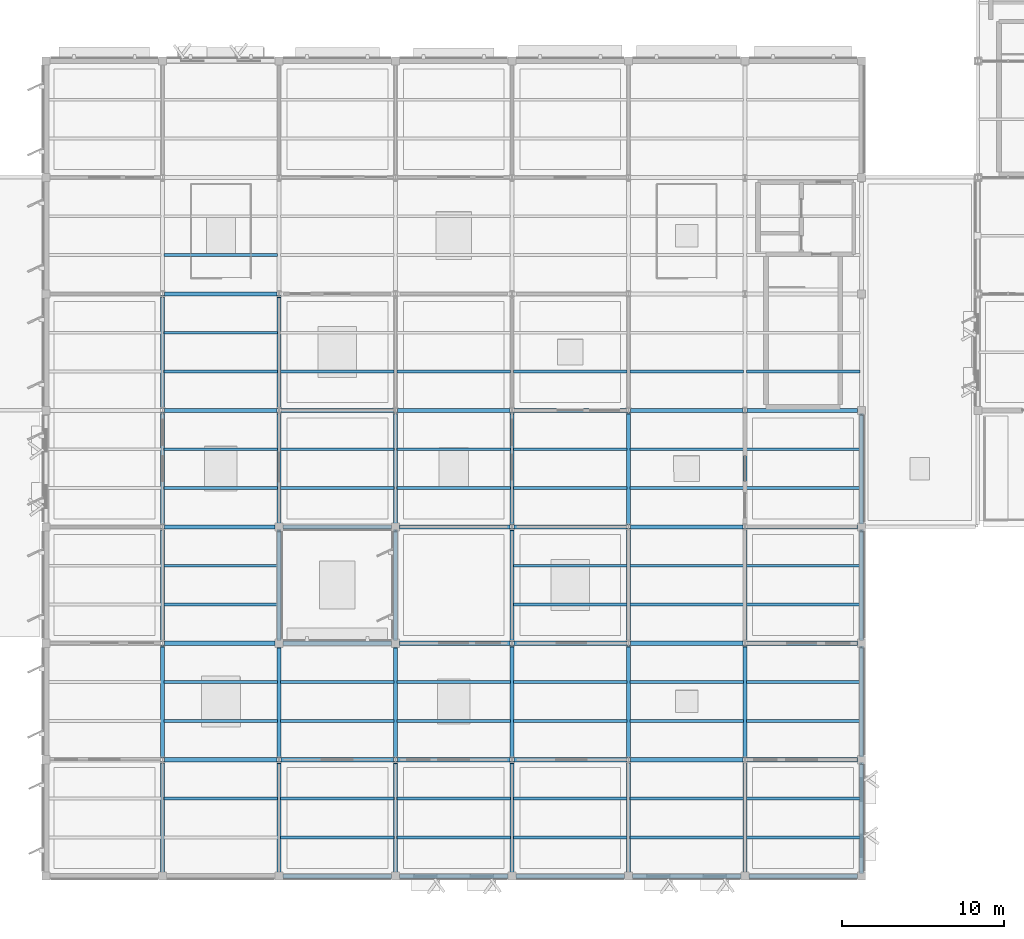
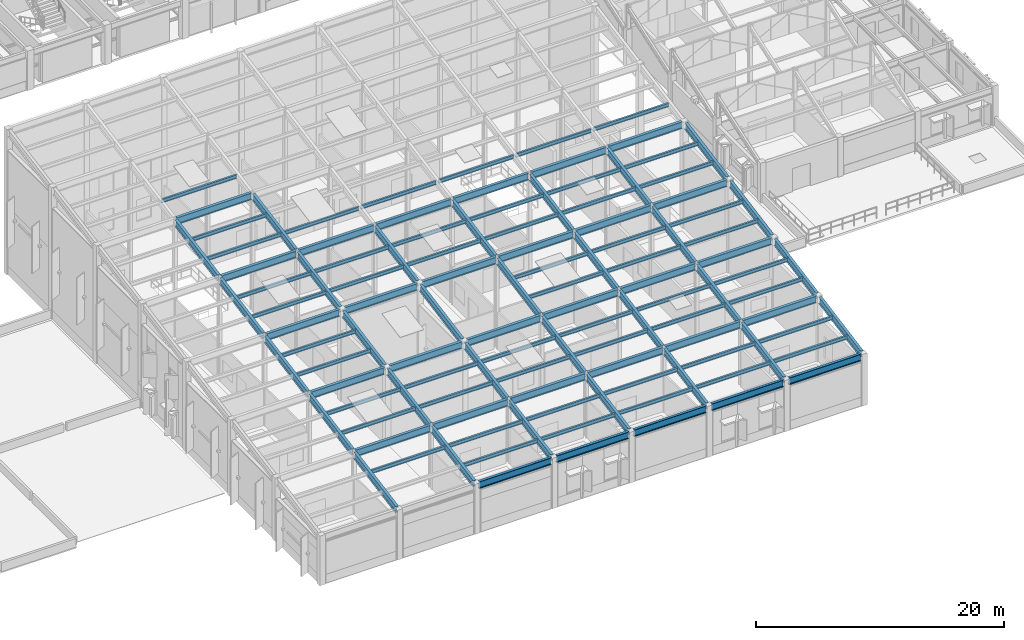
# One storey, part 16 of 82: 111 beams.
"""IFC4 building model written with IfcOpenShell, lengths in metres."""

from ifc_helpers import new_model, si_unit, direction, frame, origin, origin_2d, place, context, subcontext, project, spatial, i_section, extrude, material, material_profile, profile_set, type_object, element, save


model = new_model("IFC4")

# Units and contexts
model_context = context("Model", 3, precision=1e-05, world=origin(), true_north=direction((0.0, 1.0)))
body_context = subcontext(model_context, "Body", "Model", "MODEL_VIEW")
ifc_project = project(units=[si_unit("LENGTHUNIT", "METRE"), si_unit("AREAUNIT", "SQUARE_METRE"), si_unit("VOLUMEUNIT", "CUBIC_METRE"), si_unit("PLANEANGLEUNIT", "RADIAN"), si_unit("MASSUNIT", "GRAM", prefix="KILO")], contexts=[model_context])

# Site, building, storey
site_placement = place(None, origin())
site = spatial("IfcSite", under=ifc_project, at=site_placement, CompositionType="ELEMENT")
building_placement = place(site_placement, origin())
building = spatial("IfcBuilding", under=site, at=building_placement, Name="Sillqori Civic Hall", CompositionType="ELEMENT")
storey_placement = place(building_placement, frame((0.0, 0.0, 14.10009765625)))
storey = spatial("IfcBuildingStorey", under=building, at=storey_placement, Name="L04", CompositionType="ELEMENT", Elevation=14.10009765625)

# Beams
ifc_material = material(Name="Steel ASTM A992", Category="steel")
ifc_material_profile_1 = material_profile(ifc_material, i_section(OverallWidth=0.25390625, OverallDepth=0.68310546875, WebThickness=0.012451171875, FlangeThickness=0.01904296875, FilletRadius=0.01611328125, at=origin_2d()), Name="W27X94")
ifc_profile_set_1 = profile_set([ifc_material_profile_1], Name="Steel ASTM A992")
beam_type_1 = type_object("IfcBeamType", Name="BM-W27X94", PredefinedType="BEAM", material=ifc_profile_set_1)
beam_1_placement = place(storey_placement, frame((79.44189453125, 7.199951171875, 4.587646484375), z_axis=(0.99999200533, 0.0, 0.003998659369), x_axis=(0.0, 1.0, 0.0)))
element("IfcBeam", 1, at=beam_1_placement, inside=storey, type_object=beam_type_1, Name="Wedge roof girder X 11-12@1", PredefinedType="BEAM", context=body_context, shape_type="SweptSolid", body=[
    extrude(i_section(OverallWidth=0.25390625, OverallDepth=0.68310546875, WebThickness=0.012451171875, FlangeThickness=0.01904296875, FilletRadius=0.01611328125, at=origin_2d()), origin(), (0.0, 0.0, 1.0), 6.716064453125),
])
beam_2_placement = place(storey_placement, frame((86.64208984375, 7.199951171875, 4.6162109375), z_axis=(0.999992149454, 0.0, 0.003962452533), x_axis=(0.0, 1.0, 0.0)))
element("IfcBeam", 2, at=beam_2_placement, inside=storey, type_object=beam_type_1, Name="Wedge roof girder X 12-13@1", PredefinedType="BEAM", context=body_context, shape_type="SweptSolid", body=[
    extrude(i_section(OverallWidth=0.25390625, OverallDepth=0.68310546875, WebThickness=0.012451171875, FlangeThickness=0.01904296875, FilletRadius=0.01611328125, at=origin_2d()), origin(), (0.0, 0.0, 1.0), 6.7158203125),
])
for number, where, z_axis, x_axis, name in (
    (3, (93.842041015625, 7.199951171875, 4.64501953125), (0.999992293399, 0.0, 0.003925957602), (0.0, 1.0, 0.0), "Wedge roof girder X 13-14@1"),
    (4, (101.0419921875, 7.199951171875, 4.67333984375), (0.99999200533, 0.0, 0.003998659369), (0.0, 1.0, 0.0), "Wedge roof girder X 14-15@1"),
    (5, (108.241943359375, 7.199951171875, 4.701904296875), (0.999992150025, 0.0, 0.003962308494), (0.0, 1.0, 0.0), "Wedge roof girder X 15-16@1"),
):
    element("IfcBeam", number, at=place(storey_placement, frame(where, z_axis=z_axis, x_axis=x_axis)), inside=storey, type_object=beam_type_1, Name=name, PredefinedType="BEAM", context=body_context, shape_type="SweptSolid", body=[
        extrude(i_section(OverallWidth=0.25390625, OverallDepth=0.68310546875, WebThickness=0.012451171875, FlangeThickness=0.01904296875, FilletRadius=0.01611328125, at=origin_2d()), origin(), (0.0, 0.0, 1.0), 6.716064453125),
    ])
for number, where, z_axis, x_axis, name in (
    (6, (72.12060546875, 14.39990234375, 5.901611328125), (0.999992142034, 0.0, 0.003964324728), (0.0, 1.0, 0.0), "Wedge roof girder X 10-11@2"),
    (7, (79.320556640625, 14.39990234375, 5.93017578125), (0.999992142034, 0.0, 0.003964324728), (0.0, 1.0, 0.0), "Wedge roof girder X 11-12@2"),
    (8, (86.5205078125, 14.39990234375, 5.958740234375), (0.999992142034, 0.0, 0.003964324728), (0.0, 1.0, 0.0), "Wedge roof girder X 12-13@2"),
    (9, (93.720458984375, 14.39990234375, 5.9873046875), (0.999992142034, 0.0, 0.003964324728), (0.0, 1.0, 0.0), "Wedge roof girder X 13-14@2"),
    (10, (100.92041015625, 14.39990234375, 6.015869140625), (0.999992142034, 0.0, 0.003964324728), (0.0, 1.0, 0.0), "Wedge roof girder X 14-15@2"),
):
    element("IfcBeam", number, at=place(storey_placement, frame(where, z_axis=z_axis, x_axis=x_axis)), inside=storey, type_object=beam_type_1, Name=name, PredefinedType="BEAM", context=body_context, shape_type="SweptSolid", body=[
        extrude(i_section(OverallWidth=0.25390625, OverallDepth=0.68310546875, WebThickness=0.012451171875, FlangeThickness=0.01904296875, FilletRadius=0.01611328125, at=origin_2d()), origin(), (0.0, 0.0, 1.0), 6.958984375),
    ])
for number, where, z_axis, x_axis, name in (
    (11, (108.12060546875, 14.39990234375, 6.04443359375), (0.999992145678, 0.0, 0.003963405276), (0.0, 1.0, 0.0), "Wedge roof girder X 15-16@2"),
    (12, (72.12060546875, 21.60009765625, 7.244384765625), (0.999992145678, 0.0, 0.003963405276), (0.0, 1.0, 0.0), "Wedge roof girder X 10-11@3"),
):
    element("IfcBeam", number, at=place(storey_placement, frame(where, z_axis=z_axis, x_axis=x_axis)), inside=storey, type_object=beam_type_1, Name=name, PredefinedType="BEAM", context=body_context, shape_type="SweptSolid", body=[
        extrude(i_section(OverallWidth=0.25390625, OverallDepth=0.68310546875, WebThickness=0.012451171875, FlangeThickness=0.01904296875, FilletRadius=0.01611328125, at=origin_2d()), origin(), (0.0, 0.0, 1.0), 6.83740234375),
    ])
beam_3_placement = place(storey_placement, frame((79.44189453125, 21.60009765625, 7.2734375), z_axis=(0.999992150025, 0.0, 0.003962308494), x_axis=(0.0, 1.0, 0.0)))
element("IfcBeam", 13, at=beam_3_placement, inside=storey, type_object=beam_type_1, Name="Wedge roof girder X 11-12@3", PredefinedType="BEAM", context=body_context, shape_type="SweptSolid", body=[
    extrude(i_section(OverallWidth=0.25390625, OverallDepth=0.68310546875, WebThickness=0.012451171875, FlangeThickness=0.01904296875, FilletRadius=0.01611328125, at=origin_2d()), origin(), (0.0, 0.0, 1.0), 6.716064453125),
])
beam_4_placement = place(storey_placement, frame((86.64208984375, 21.60009765625, 7.302001953125), z_axis=(0.999992145678, 0.0, 0.003963405276), x_axis=(0.0, 1.0, 0.0)))
element("IfcBeam", 14, at=beam_4_placement, inside=storey, type_object=beam_type_1, Name="Wedge roof girder X 12-13@3", PredefinedType="BEAM", context=body_context, shape_type="SweptSolid", body=[
    extrude(i_section(OverallWidth=0.25390625, OverallDepth=0.68310546875, WebThickness=0.012451171875, FlangeThickness=0.01904296875, FilletRadius=0.01611328125, at=origin_2d()), origin(), (0.0, 0.0, 1.0), 6.83740234375),
])
for number, where, z_axis, x_axis, name in (
    (15, (93.720458984375, 21.60009765625, 7.330078125), (0.999992142034, 0.0, 0.003964324728), (0.0, 1.0, 0.0), "Wedge roof girder X 13-14@3"),
    (16, (100.92041015625, 21.60009765625, 7.358642578125), (0.999992142034, 0.0, 0.003964324728), (0.0, 1.0, 0.0), "Wedge roof girder X 14-15@3"),
):
    element("IfcBeam", number, at=place(storey_placement, frame(where, z_axis=z_axis, x_axis=x_axis)), inside=storey, type_object=beam_type_1, Name=name, PredefinedType="BEAM", context=body_context, shape_type="SweptSolid", body=[
        extrude(i_section(OverallWidth=0.25390625, OverallDepth=0.68310546875, WebThickness=0.012451171875, FlangeThickness=0.01904296875, FilletRadius=0.01611328125, at=origin_2d()), origin(), (0.0, 0.0, 1.0), 6.958984375),
    ])
for number, where, z_axis, x_axis, name in (
    (17, (108.12060546875, 21.60009765625, 7.38720703125), (0.999992145678, 0.0, 0.003963405276), (0.0, 1.0, 0.0), "Wedge roof girder X 15-16@3"),
    (18, (72.12060546875, 28.800048828125, 8.587158203125), (0.999992003523, 0.0, 0.003999111062), (0.0, 1.0, 0.0), "Wedge roof girder X 10-11@4"),
):
    element("IfcBeam", number, at=place(storey_placement, frame(where, z_axis=z_axis, x_axis=x_axis)), inside=storey, type_object=beam_type_1, Name=name, PredefinedType="BEAM", context=body_context, shape_type="SweptSolid", body=[
        extrude(i_section(OverallWidth=0.25390625, OverallDepth=0.68310546875, WebThickness=0.012451171875, FlangeThickness=0.01904296875, FilletRadius=0.01611328125, at=origin_2d()), origin(), (0.0, 0.0, 1.0), 6.83740234375),
    ])
beam_5_placement = place(storey_placement, frame((79.44189453125, 28.800048828125, 8.6162109375), z_axis=(0.999992150025, 0.0, 0.003962308494), x_axis=(0.0, 1.0, 0.0)))
element("IfcBeam", 19, at=beam_5_placement, inside=storey, type_object=beam_type_1, Name="Wedge roof girder X 11-12@4", PredefinedType="BEAM", context=body_context, shape_type="SweptSolid", body=[
    extrude(i_section(OverallWidth=0.25390625, OverallDepth=0.68310546875, WebThickness=0.012451171875, FlangeThickness=0.01904296875, FilletRadius=0.01611328125, at=origin_2d()), origin(), (0.0, 0.0, 1.0), 6.716064453125),
])
beam_6_placement = place(storey_placement, frame((86.64208984375, 28.800048828125, 8.64501953125), z_axis=(0.999992145678, 0.0, 0.003963405276), x_axis=(0.0, 1.0, 0.0)))
element("IfcBeam", 20, at=beam_6_placement, inside=storey, type_object=beam_type_1, Name="Wedge roof girder X 12-13@4", PredefinedType="BEAM", context=body_context, shape_type="SweptSolid", body=[
    extrude(i_section(OverallWidth=0.25390625, OverallDepth=0.68310546875, WebThickness=0.012451171875, FlangeThickness=0.01904296875, FilletRadius=0.01611328125, at=origin_2d()), origin(), (0.0, 0.0, 1.0), 6.83740234375),
])
for number, where, z_axis, x_axis, name in (
    (21, (93.720458984375, 28.800048828125, 8.6728515625), (0.999992002341, 0.0, 0.003999406689), (0.0, 1.0, 0.0), "Wedge roof girder X 13-14@4"),
    (22, (100.92041015625, 28.800048828125, 8.701416015625), (0.999992142034, 0.0, 0.003964324728), (0.0, 1.0, 0.0), "Wedge roof girder X 14-15@4"),
):
    element("IfcBeam", number, at=place(storey_placement, frame(where, z_axis=z_axis, x_axis=x_axis)), inside=storey, type_object=beam_type_1, Name=name, PredefinedType="BEAM", context=body_context, shape_type="SweptSolid", body=[
        extrude(i_section(OverallWidth=0.25390625, OverallDepth=0.68310546875, WebThickness=0.012451171875, FlangeThickness=0.01904296875, FilletRadius=0.01611328125, at=origin_2d()), origin(), (0.0, 0.0, 1.0), 6.958984375),
    ])
beam_7_placement = place(storey_placement, frame((108.12060546875, 28.800048828125, 8.72998046875), z_axis=(0.999992003523, 0.0, 0.003999111062), x_axis=(0.0, 1.0, 0.0)))
element("IfcBeam", 23, at=beam_7_placement, inside=storey, type_object=beam_type_1, Name="Wedge roof girder X 15-16@4", PredefinedType="BEAM", context=body_context, shape_type="SweptSolid", body=[
    extrude(i_section(OverallWidth=0.25390625, OverallDepth=0.68310546875, WebThickness=0.012451171875, FlangeThickness=0.01904296875, FilletRadius=0.01611328125, at=origin_2d()), origin(), (0.0, 0.0, 1.0), 6.83740234375),
])
for number, where, z_axis, x_axis, name in (
    (24, (72.12060546875, 36.0, 9.93017578125), (0.999992142034, 0.0, 0.003964324728), (0.0, 1.0, 0.0), "Wedge roof girder X 10-11@5"),
    (25, (79.320556640625, 36.0, 9.958740234375), (0.999992142034, 0.0, 0.003964324728), (0.0, 1.0, 0.0), "Wedge roof girder X 11-12@5"),
    (26, (86.5205078125, 36.0, 9.9873046875), (0.999992142034, 0.0, 0.003964324728), (0.0, 1.0, 0.0), "Wedge roof girder X 12-13@5"),
    (27, (93.720458984375, 36.0, 10.015869140625), (0.999992142034, 0.0, 0.003964324728), (0.0, 1.0, 0.0), "Wedge roof girder X 13-14@5"),
    (28, (100.92041015625, 36.0, 10.04443359375), (0.999992142034, 0.0, 0.003964324728), (0.0, 1.0, 0.0), "Wedge roof girder X 14-15@5"),
):
    element("IfcBeam", number, at=place(storey_placement, frame(where, z_axis=z_axis, x_axis=x_axis)), inside=storey, type_object=beam_type_1, Name=name, PredefinedType="BEAM", context=body_context, shape_type="SweptSolid", body=[
        extrude(i_section(OverallWidth=0.25390625, OverallDepth=0.68310546875, WebThickness=0.012451171875, FlangeThickness=0.01904296875, FilletRadius=0.01611328125, at=origin_2d()), origin(), (0.0, 0.0, 1.0), 6.958984375),
    ])
beam_8_placement = place(storey_placement, frame((108.12060546875, 36.0, 10.072998046875), z_axis=(0.999992145678, 0.0, 0.003963405276), x_axis=(0.0, 1.0, 0.0)))
element("IfcBeam", 29, at=beam_8_placement, inside=storey, type_object=beam_type_1, Name="Wedge roof girder X 15-16@5", PredefinedType="BEAM", context=body_context, shape_type="SweptSolid", body=[
    extrude(i_section(OverallWidth=0.25390625, OverallDepth=0.68310546875, WebThickness=0.012451171875, FlangeThickness=0.01904296875, FilletRadius=0.01611328125, at=origin_2d()), origin(), (0.0, 0.0, 1.0), 6.83740234375),
])
beam_9_placement = place(storey_placement, frame((72.12060546875, 43.199951171875, 11.27294921875), z_axis=(0.999992142034, 0.0, 0.003964324728), x_axis=(0.0, 1.0, 0.0)))
element("IfcBeam", 30, at=beam_9_placement, inside=storey, type_object=beam_type_1, Name="Wedge roof girder X 10-11@6", PredefinedType="BEAM", context=body_context, shape_type="SweptSolid", body=[
    extrude(i_section(OverallWidth=0.25390625, OverallDepth=0.68310546875, WebThickness=0.012451171875, FlangeThickness=0.01904296875, FilletRadius=0.01611328125, at=origin_2d()), origin(), (0.0, 0.0, 1.0), 6.958984375),
])
beam_10_placement = place(storey_placement, frame((72.0, 7.44189453125, 4.603271484375), z_axis=(0.0, 0.983048738016, 0.183344426381), x_axis=(-1.0, 0.0, 0.0)))
element("IfcBeam", 31, at=beam_10_placement, inside=storey, type_object=beam_type_1, Name="Wedge roof inclined rafter Y 10@1-2", PredefinedType="BEAM", context=body_context, shape_type="SweptSolid", body=[
    extrude(i_section(OverallWidth=0.25390625, OverallDepth=0.68310546875, WebThickness=0.012451171875, FlangeThickness=0.01904296875, FilletRadius=0.01611328125, at=origin_2d()), origin(), (0.0, 0.0, 1.0), 6.901611328125),
])
for number, where, z_axis, x_axis, name in (
    (32, (72.0, 14.573486328125, 5.933349609375), (0.0, 0.98305013715, 0.183336924403), (-1.0, 0.0, 0.0), "Wedge roof inclined rafter Y 10@2-3"),
    (33, (72.0, 21.7734375, 7.276123046875), (0.0, 0.983043824726, 0.183370768303), (-1.0, 0.0, 0.0), "Wedge roof inclined rafter Y 10@3-4"),
    (34, (72.0, 28.973388671875, 8.619140625), (0.0, 0.98305013715, 0.183336924403), (-1.0, 0.0, 0.0), "Wedge roof inclined rafter Y 10@4-5"),
    (35, (72.0, 36.173583984375, 9.9619140625), (0.0, 0.98305013715, 0.183336924403), (-1.0, 0.0, 0.0), "Wedge roof inclined rafter Y 10@5-6"),
):
    element("IfcBeam", number, at=place(storey_placement, frame(where, z_axis=z_axis, x_axis=x_axis)), inside=storey, type_object=beam_type_1, Name=name, PredefinedType="BEAM", context=body_context, shape_type="SweptSolid", body=[
        extrude(i_section(OverallWidth=0.25390625, OverallDepth=0.68310546875, WebThickness=0.012451171875, FlangeThickness=0.01904296875, FilletRadius=0.01611328125, at=origin_2d()), origin(), (0.0, 0.0, 1.0), 6.97119140625),
    ])
beam_11_placement = place(storey_placement, frame((79.199951171875, 7.44189453125, 4.6318359375), z_axis=(0.0, 0.983048738016, 0.183344426381), x_axis=(-1.0, 0.0, 0.0)))
element("IfcBeam", 36, at=beam_11_placement, inside=storey, type_object=beam_type_1, Name="Wedge roof inclined rafter Y 11@1-2", PredefinedType="BEAM", context=body_context, shape_type="SweptSolid", body=[
    extrude(i_section(OverallWidth=0.25390625, OverallDepth=0.68310546875, WebThickness=0.012451171875, FlangeThickness=0.01904296875, FilletRadius=0.01611328125, at=origin_2d()), origin(), (0.0, 0.0, 1.0), 6.901611328125),
])
beam_12_placement = place(storey_placement, frame((79.199951171875, 14.573486328125, 5.9619140625), z_axis=(0.0, 0.983047548844, 0.18335080232), x_axis=(-1.0, 0.0, 0.0)))
element("IfcBeam", 37, at=beam_12_placement, inside=storey, type_object=beam_type_1, Name="Wedge roof inclined rafter Y 11@2-3", PredefinedType="BEAM", context=body_context, shape_type="SweptSolid", body=[
    extrude(i_section(OverallWidth=0.25390625, OverallDepth=0.68310546875, WebThickness=0.012451171875, FlangeThickness=0.01904296875, FilletRadius=0.01611328125, at=origin_2d()), origin(), (0.0, 0.0, 1.0), 6.9013671875),
])
beam_13_placement = place(storey_placement, frame((79.199951171875, 21.842041015625, 7.317626953125), z_axis=(0.0, 0.983046108972, 0.183358522125), x_axis=(-1.0, 0.0, 0.0)))
element("IfcBeam", 38, at=beam_13_placement, inside=storey, type_object=beam_type_1, Name="Wedge roof inclined rafter Y 11@3-4", PredefinedType="BEAM", context=body_context, shape_type="SweptSolid", body=[
    extrude(i_section(OverallWidth=0.25390625, OverallDepth=0.68310546875, WebThickness=0.012451171875, FlangeThickness=0.01904296875, FilletRadius=0.01611328125, at=origin_2d()), origin(), (0.0, 0.0, 1.0), 6.831787109375),
])
beam_14_placement = place(storey_placement, frame((79.199951171875, 29.0419921875, 8.660400390625), z_axis=(0.0, 0.983047548844, 0.18335080232), x_axis=(-1.0, 0.0, 0.0)))
element("IfcBeam", 39, at=beam_14_placement, inside=storey, type_object=beam_type_1, Name="Wedge roof inclined rafter Y 11@4-5", PredefinedType="BEAM", context=body_context, shape_type="SweptSolid", body=[
    extrude(i_section(OverallWidth=0.25390625, OverallDepth=0.68310546875, WebThickness=0.012451171875, FlangeThickness=0.01904296875, FilletRadius=0.01611328125, at=origin_2d()), origin(), (0.0, 0.0, 1.0), 6.9013671875),
])
beam_15_placement = place(storey_placement, frame((79.199951171875, 36.173583984375, 9.990478515625), z_axis=(0.0, 0.983043824726, 0.183370768303), x_axis=(-1.0, 0.0, 0.0)))
element("IfcBeam", 40, at=beam_15_placement, inside=storey, type_object=beam_type_1, Name="Wedge roof inclined rafter Y 11@5-6", PredefinedType="BEAM", context=body_context, shape_type="SweptSolid", body=[
    extrude(i_section(OverallWidth=0.25390625, OverallDepth=0.68310546875, WebThickness=0.012451171875, FlangeThickness=0.01904296875, FilletRadius=0.01611328125, at=origin_2d()), origin(), (0.0, 0.0, 1.0), 6.97119140625),
])
beam_16_placement = place(storey_placement, frame((86.39990234375, 7.44189453125, 4.660400390625), z_axis=(0.0, 0.983048738016, 0.183344426381), x_axis=(-1.0, 0.0, 0.0)))
element("IfcBeam", 41, at=beam_16_placement, inside=storey, type_object=beam_type_1, Name="Wedge roof inclined rafter Y 12@1-2", PredefinedType="BEAM", context=body_context, shape_type="SweptSolid", body=[
    extrude(i_section(OverallWidth=0.25390625, OverallDepth=0.68310546875, WebThickness=0.012451171875, FlangeThickness=0.01904296875, FilletRadius=0.01611328125, at=origin_2d()), origin(), (0.0, 0.0, 1.0), 6.901611328125),
])
beam_17_placement = place(storey_placement, frame((86.39990234375, 14.573486328125, 5.990478515625), z_axis=(0.0, 0.983047548844, 0.18335080232), x_axis=(-1.0, 0.0, 0.0)))
element("IfcBeam", 42, at=beam_17_placement, inside=storey, type_object=beam_type_1, Name="Wedge roof inclined rafter Y 12@2-3", PredefinedType="BEAM", context=body_context, shape_type="SweptSolid", body=[
    extrude(i_section(OverallWidth=0.25390625, OverallDepth=0.68310546875, WebThickness=0.012451171875, FlangeThickness=0.01904296875, FilletRadius=0.01611328125, at=origin_2d()), origin(), (0.0, 0.0, 1.0), 6.9013671875),
])
beam_18_placement = place(storey_placement, frame((86.39990234375, 21.842041015625, 7.34619140625), z_axis=(0.0, 0.983046108972, 0.183358522125), x_axis=(-1.0, 0.0, 0.0)))
element("IfcBeam", 43, at=beam_18_placement, inside=storey, type_object=beam_type_1, Name="Wedge roof inclined rafter Y 12@3-4", PredefinedType="BEAM", context=body_context, shape_type="SweptSolid", body=[
    extrude(i_section(OverallWidth=0.25390625, OverallDepth=0.68310546875, WebThickness=0.012451171875, FlangeThickness=0.01904296875, FilletRadius=0.01611328125, at=origin_2d()), origin(), (0.0, 0.0, 1.0), 6.831787109375),
])
beam_19_placement = place(storey_placement, frame((86.39990234375, 29.0419921875, 8.68896484375), z_axis=(0.0, 0.983047548844, 0.18335080232), x_axis=(-1.0, 0.0, 0.0)))
element("IfcBeam", 44, at=beam_19_placement, inside=storey, type_object=beam_type_1, Name="Wedge roof inclined rafter Y 12@4-5", PredefinedType="BEAM", context=body_context, shape_type="SweptSolid", body=[
    extrude(i_section(OverallWidth=0.25390625, OverallDepth=0.68310546875, WebThickness=0.012451171875, FlangeThickness=0.01904296875, FilletRadius=0.01611328125, at=origin_2d()), origin(), (0.0, 0.0, 1.0), 6.9013671875),
])
beam_20_placement = place(storey_placement, frame((93.60009765625, 7.44189453125, 4.68896484375), z_axis=(0.0, 0.983048738016, 0.183344426381), x_axis=(-1.0, 0.0, 0.0)))
element("IfcBeam", 45, at=beam_20_placement, inside=storey, type_object=beam_type_1, Name="Wedge roof inclined rafter Y 13@1-2", PredefinedType="BEAM", context=body_context, shape_type="SweptSolid", body=[
    extrude(i_section(OverallWidth=0.25390625, OverallDepth=0.68310546875, WebThickness=0.012451171875, FlangeThickness=0.01904296875, FilletRadius=0.01611328125, at=origin_2d()), origin(), (0.0, 0.0, 1.0), 6.901611328125),
])
for number, where, z_axis, x_axis, name in (
    (46, (93.60009765625, 14.573486328125, 6.01904296875), (0.0, 0.98305013715, 0.183336924403), (-1.0, 0.0, 0.0), "Wedge roof inclined rafter Y 13@2-3"),
    (47, (93.60009765625, 21.7734375, 7.362060546875), (0.0, 0.98305013715, 0.183336924403), (-1.0, 0.0, 0.0), "Wedge roof inclined rafter Y 13@3-4"),
    (48, (93.60009765625, 28.973388671875, 8.704833984375), (0.0, 0.98305013715, 0.183336924403), (-1.0, 0.0, 0.0), "Wedge roof inclined rafter Y 13@4-5"),
):
    element("IfcBeam", number, at=place(storey_placement, frame(where, z_axis=z_axis, x_axis=x_axis)), inside=storey, type_object=beam_type_1, Name=name, PredefinedType="BEAM", context=body_context, shape_type="SweptSolid", body=[
        extrude(i_section(OverallWidth=0.25390625, OverallDepth=0.68310546875, WebThickness=0.012451171875, FlangeThickness=0.01904296875, FilletRadius=0.01611328125, at=origin_2d()), origin(), (0.0, 0.0, 1.0), 6.97119140625),
    ])
beam_21_placement = place(storey_placement, frame((100.800048828125, 7.44189453125, 4.717529296875), z_axis=(0.0, 0.983048738016, 0.183344426381), x_axis=(-1.0, 0.0, 0.0)))
element("IfcBeam", 49, at=beam_21_placement, inside=storey, type_object=beam_type_1, Name="Wedge roof inclined rafter Y 14@1-2", PredefinedType="BEAM", context=body_context, shape_type="SweptSolid", body=[
    extrude(i_section(OverallWidth=0.25390625, OverallDepth=0.68310546875, WebThickness=0.012451171875, FlangeThickness=0.01904296875, FilletRadius=0.01611328125, at=origin_2d()), origin(), (0.0, 0.0, 1.0), 6.901611328125),
])
for number, where, z_axis, x_axis, name in (
    (50, (100.800048828125, 14.573486328125, 6.047607421875), (0.0, 0.98305013715, 0.183336924403), (-1.0, 0.0, 0.0), "Wedge roof inclined rafter Y 14@2-3"),
    (51, (100.800048828125, 21.7734375, 7.390380859375), (0.0, 0.983043824726, 0.183370768303), (-1.0, 0.0, 0.0), "Wedge roof inclined rafter Y 14@3-4"),
    (52, (100.800048828125, 28.973388671875, 8.7333984375), (0.0, 0.98305013715, 0.183336924403), (-1.0, 0.0, 0.0), "Wedge roof inclined rafter Y 14@4-5"),
):
    element("IfcBeam", number, at=place(storey_placement, frame(where, z_axis=z_axis, x_axis=x_axis)), inside=storey, type_object=beam_type_1, Name=name, PredefinedType="BEAM", context=body_context, shape_type="SweptSolid", body=[
        extrude(i_section(OverallWidth=0.25390625, OverallDepth=0.68310546875, WebThickness=0.012451171875, FlangeThickness=0.01904296875, FilletRadius=0.01611328125, at=origin_2d()), origin(), (0.0, 0.0, 1.0), 6.97119140625),
    ])
beam_22_placement = place(storey_placement, frame((108.0, 7.44189453125, 4.74609375), z_axis=(0.0, 0.983048738016, 0.183344426381), x_axis=(-1.0, 0.0, 0.0)))
element("IfcBeam", 53, at=beam_22_placement, inside=storey, type_object=beam_type_1, Name="Wedge roof inclined rafter Y 15@1-2", PredefinedType="BEAM", context=body_context, shape_type="SweptSolid", body=[
    extrude(i_section(OverallWidth=0.25390625, OverallDepth=0.68310546875, WebThickness=0.012451171875, FlangeThickness=0.01904296875, FilletRadius=0.01611328125, at=origin_2d()), origin(), (0.0, 0.0, 1.0), 6.901611328125),
])
for number, where, z_axis, x_axis, name in (
    (54, (108.0, 14.573486328125, 6.076171875), (0.0, 0.983043824726, 0.183370768303), (-1.0, 0.0, 0.0), "Wedge roof inclined rafter Y 15@2-3"),
    (55, (108.0, 21.7734375, 7.419189453125), (0.0, 0.98305013715, 0.183336924403), (-1.0, 0.0, 0.0), "Wedge roof inclined rafter Y 15@3-4"),
    (56, (108.0, 28.973388671875, 8.761962890625), (0.0, 0.98305013715, 0.183336924403), (-1.0, 0.0, 0.0), "Wedge roof inclined rafter Y 15@4-5"),
):
    element("IfcBeam", number, at=place(storey_placement, frame(where, z_axis=z_axis, x_axis=x_axis)), inside=storey, type_object=beam_type_1, Name=name, PredefinedType="BEAM", context=body_context, shape_type="SweptSolid", body=[
        extrude(i_section(OverallWidth=0.25390625, OverallDepth=0.68310546875, WebThickness=0.012451171875, FlangeThickness=0.01904296875, FilletRadius=0.01611328125, at=origin_2d()), origin(), (0.0, 0.0, 1.0), 6.97119140625),
    ])
beam_23_placement = place(storey_placement, frame((115.199951171875, 7.44189453125, 4.774658203125), z_axis=(0.0, 0.983046108972, 0.183358522125), x_axis=(-1.0, 0.0, 0.0)))
element("IfcBeam", 57, at=beam_23_placement, inside=storey, type_object=beam_type_1, Name="Wedge roof inclined rafter Y 16@1-2", PredefinedType="BEAM", context=body_context, shape_type="SweptSolid", body=[
    extrude(i_section(OverallWidth=0.25390625, OverallDepth=0.68310546875, WebThickness=0.012451171875, FlangeThickness=0.01904296875, FilletRadius=0.01611328125, at=origin_2d()), origin(), (0.0, 0.0, 1.0), 6.831787109375),
])
beam_24_placement = place(storey_placement, frame((115.199951171875, 14.64208984375, 6.11767578125), z_axis=(0.0, 0.983051348659, 0.183330428189), x_axis=(-1.0, 0.0, 0.0)))
element("IfcBeam", 58, at=beam_24_placement, inside=storey, type_object=beam_type_1, Name="Wedge roof inclined rafter Y 16@2-3", PredefinedType="BEAM", context=body_context, shape_type="SweptSolid", body=[
    extrude(i_section(OverallWidth=0.25390625, OverallDepth=0.68310546875, WebThickness=0.012451171875, FlangeThickness=0.01904296875, FilletRadius=0.01611328125, at=origin_2d()), origin(), (0.0, 0.0, 1.0), 6.83154296875),
])
for number, where, z_axis, x_axis, name in (
    (59, (115.199951171875, 21.842041015625, 7.46044921875), (0.0, 0.983052549715, 0.183323987787), (-1.0, 0.0, 0.0), "Wedge roof inclined rafter Y 16@3-4"),
    (60, (115.199951171875, 29.0419921875, 8.80322265625), (0.0, 0.983046108972, 0.183358522125), (-1.0, 0.0, 0.0), "Wedge roof inclined rafter Y 16@4-5"),
):
    element("IfcBeam", number, at=place(storey_placement, frame(where, z_axis=z_axis, x_axis=x_axis)), inside=storey, type_object=beam_type_1, Name=name, PredefinedType="BEAM", context=body_context, shape_type="SweptSolid", body=[
        extrude(i_section(OverallWidth=0.25390625, OverallDepth=0.68310546875, WebThickness=0.012451171875, FlangeThickness=0.01904296875, FilletRadius=0.01611328125, at=origin_2d()), origin(), (0.0, 0.0, 1.0), 6.831787109375),
    ])
ifc_material_profile_2 = material_profile(ifc_material, i_section(OverallWidth=0.1708984375, OverallDepth=0.35107421875, WebThickness=0.0068359375, FlangeThickness=0.009765625, FilletRadius=0.010986328125, at=origin_2d()), Name="W14X30")
ifc_profile_set_2 = profile_set([ifc_material_profile_2], Name="Steel ASTM A992")
beam_type_2 = type_object("IfcBeamType", Name="PR-W14X30", PredefinedType="JOIST", material=ifc_profile_set_2)
for number, where, z_axis, x_axis, name in (
    (61, (79.300048828125, 9.60009765625, 5.06591796875), (1.0, 0.0, 0.0), (0.0, 1.0, 0.0), "Wedge roof purlin 11-1.1"),
    (62, (86.5, 9.60009765625, 5.09423828125), (1.0, 0.0, 0.0), (0.0, 1.0, 0.0), "Wedge roof purlin 12-1.1"),
    (63, (93.699951171875, 9.60009765625, 5.122802734375), (1.0, 0.0, 0.0), (0.0, 1.0, 0.0), "Wedge roof purlin 13-1.1"),
    (64, (100.89990234375, 9.60009765625, 5.151611328125), (1.0, 0.0, 0.0), (0.0, 1.0, 0.0), "Wedge roof purlin 14-1.1"),
    (65, (108.10009765625, 9.60009765625, 5.179931640625), (1.0, 0.0, 0.0), (0.0, 1.0, 0.0), "Wedge roof purlin 15-1.1"),
    (66, (72.10009765625, 12.0, 5.48486328125), (1.0, 0.0, 0.0), (0.0, 1.0, 0.0), "Wedge roof purlin 10-1.2"),
    (67, (79.300048828125, 12.0, 5.513427734375), (1.0, 0.0, 0.0), (0.0, 1.0, 0.0), "Wedge roof purlin 11-1.2"),
    (68, (86.5, 12.0, 5.5419921875), (1.0, 0.0, 0.0), (0.0, 1.0, 0.0), "Wedge roof purlin 12-1.2"),
    (69, (93.699951171875, 12.0, 5.570556640625), (1.0, 0.0, 0.0), (0.0, 1.0, 0.0), "Wedge roof purlin 13-1.2"),
    (70, (100.89990234375, 12.0, 5.59912109375), (1.0, 0.0, 0.0), (0.0, 1.0, 0.0), "Wedge roof purlin 14-1.2"),
    (71, (108.10009765625, 12.0, 5.627685546875), (1.0, 0.0, 0.0), (0.0, 1.0, 0.0), "Wedge roof purlin 15-1.2"),
    (72, (72.10009765625, 16.800048828125, 6.3798828125), (1.0, 0.0, 0.0), (0.0, 1.0, 0.0), "Wedge roof purlin 10-2.1"),
    (73, (79.300048828125, 16.800048828125, 6.40869140625), (1.0, 0.0, 0.0), (0.0, 1.0, 0.0), "Wedge roof purlin 11-2.1"),
    (74, (86.5, 16.800048828125, 6.437255859375), (1.0, 0.0, 0.0), (0.0, 1.0, 0.0), "Wedge roof purlin 12-2.1"),
    (75, (93.699951171875, 16.800048828125, 6.4658203125), (1.0, 0.0, 0.0), (0.0, 1.0, 0.0), "Wedge roof purlin 13-2.1"),
    (76, (100.89990234375, 16.800048828125, 6.494384765625), (1.0, 0.0, 0.0), (0.0, 1.0, 0.0), "Wedge roof purlin 14-2.1"),
    (77, (108.10009765625, 16.800048828125, 6.52294921875), (1.0, 0.0, 0.0), (0.0, 1.0, 0.0), "Wedge roof purlin 15-2.1"),
    (78, (72.10009765625, 19.199951171875, 6.82763671875), (1.0, 0.0, 0.0), (0.0, 1.0, 0.0), "Wedge roof purlin 10-2.2"),
    (79, (79.300048828125, 19.199951171875, 6.856201171875), (1.0, 0.0, 0.0), (0.0, 1.0, 0.0), "Wedge roof purlin 11-2.2"),
    (80, (86.5, 19.199951171875, 6.884765625), (1.0, 0.0, 0.0), (0.0, 1.0, 0.0), "Wedge roof purlin 12-2.2"),
    (81, (93.699951171875, 19.199951171875, 6.913330078125), (1.0, 0.0, 0.0), (0.0, 1.0, 0.0), "Wedge roof purlin 13-2.2"),
    (82, (100.89990234375, 19.199951171875, 6.94189453125), (1.0, 0.0, 0.0), (0.0, 1.0, 0.0), "Wedge roof purlin 14-2.2"),
    (83, (108.10009765625, 19.199951171875, 6.970458984375), (1.0, 0.0, 0.0), (0.0, 1.0, 0.0), "Wedge roof purlin 15-2.2"),
    (84, (72.10009765625, 24.0, 7.722900390625), (1.0, 0.0, 0.0), (0.0, 1.0, 0.0), "Wedge roof purlin 10-3.1"),
    (85, (93.699951171875, 24.0, 7.80859375), (1.0, 0.0, 0.0), (0.0, 1.0, 0.0), "Wedge roof purlin 13-3.1"),
    (86, (100.89990234375, 24.0, 7.837158203125), (1.0, 0.0, 0.0), (0.0, 1.0, 0.0), "Wedge roof purlin 14-3.1"),
    (87, (108.10009765625, 24.0, 7.86572265625), (1.0, 0.0, 0.0), (0.0, 1.0, 0.0), "Wedge roof purlin 15-3.1"),
    (88, (72.10009765625, 26.39990234375, 8.17041015625), (1.0, 0.0, 0.0), (0.0, 1.0, 0.0), "Wedge roof purlin 10-3.2"),
    (89, (93.699951171875, 26.39990234375, 8.256103515625), (1.0, 0.0, 0.0), (0.0, 1.0, 0.0), "Wedge roof purlin 13-3.2"),
    (90, (100.89990234375, 26.39990234375, 8.284912109375), (1.0, 0.0, 0.0), (0.0, 1.0, 0.0), "Wedge roof purlin 14-3.2"),
    (91, (108.10009765625, 26.39990234375, 8.3134765625), (1.0, 0.0, 0.0), (0.0, 1.0, 0.0), "Wedge roof purlin 15-3.2"),
    (92, (72.10009765625, 31.199951171875, 9.06591796875), (1.0, 0.0, 0.0), (0.0, 1.0, 0.0), "Wedge roof purlin 10-4.1"),
    (93, (79.300048828125, 31.199951171875, 9.09423828125), (1.0, 0.0, 0.0), (0.0, 1.0, 0.0), "Wedge roof purlin 11-4.1"),
    (94, (86.5, 31.199951171875, 9.122802734375), (1.0, 0.0, 0.0), (0.0, 1.0, 0.0), "Wedge roof purlin 12-4.1"),
    (95, (93.699951171875, 31.199951171875, 9.151611328125), (1.0, 0.0, 0.0), (0.0, 1.0, 0.0), "Wedge roof purlin 13-4.1"),
    (96, (100.89990234375, 31.199951171875, 9.179931640625), (1.0, 0.0, 0.0), (0.0, 1.0, 0.0), "Wedge roof purlin 14-4.1"),
    (97, (108.10009765625, 31.199951171875, 9.20849609375), (1.0, 0.0, 0.0), (0.0, 1.0, 0.0), "Wedge roof purlin 15-4.1"),
    (98, (72.10009765625, 33.60009765625, 9.513427734375), (1.0, 0.0, 0.0), (0.0, 1.0, 0.0), "Wedge roof purlin 10-4.2"),
    (99, (79.300048828125, 33.60009765625, 9.5419921875), (1.0, 0.0, 0.0), (0.0, 1.0, 0.0), "Wedge roof purlin 11-4.2"),
    (100, (86.5, 33.60009765625, 9.570556640625), (1.0, 0.0, 0.0), (0.0, 1.0, 0.0), "Wedge roof purlin 12-4.2"),
    (101, (93.699951171875, 33.60009765625, 9.59912109375), (1.0, 0.0, 0.0), (0.0, 1.0, 0.0), "Wedge roof purlin 13-4.2"),
    (102, (100.89990234375, 33.60009765625, 9.627685546875), (1.0, 0.0, 0.0), (0.0, 1.0, 0.0), "Wedge roof purlin 14-4.2"),
    (103, (108.10009765625, 33.60009765625, 9.65625), (1.0, 0.0, 0.0), (0.0, 1.0, 0.0), "Wedge roof purlin 15-4.2"),
    (104, (72.10009765625, 38.39990234375, 10.40869140625), (1.0, 0.0, 0.0), (0.0, 1.0, 0.0), "Wedge roof purlin 10-5.1"),
    (105, (79.300048828125, 38.39990234375, 10.437255859375), (1.0, 0.0, 0.0), (0.0, 1.0, 0.0), "Wedge roof purlin 11-5.1"),
    (106, (86.5, 38.39990234375, 10.4658203125), (1.0, 0.0, 0.0), (0.0, 1.0, 0.0), "Wedge roof purlin 12-5.1"),
    (107, (93.699951171875, 38.39990234375, 10.494384765625), (1.0, 0.0, 0.0), (0.0, 1.0, 0.0), "Wedge roof purlin 13-5.1"),
    (108, (100.89990234375, 38.39990234375, 10.52294921875), (1.0, 0.0, 0.0), (0.0, 1.0, 0.0), "Wedge roof purlin 14-5.1"),
    (109, (108.10009765625, 38.39990234375, 10.551513671875), (1.0, 0.0, 0.0), (0.0, 1.0, 0.0), "Wedge roof purlin 15-5.1"),
    (110, (72.10009765625, 40.800048828125, 10.856201171875), (1.0, 0.0, 0.0), (0.0, 1.0, 0.0), "Wedge roof purlin 10-5.2"),
    (111, (72.10009765625, 45.60009765625, 11.75146484375), (1.0, 0.0, 0.0), (0.0, 1.0, 0.0), "Wedge roof purlin 10-6.1"),
):
    element("IfcBeam", number, at=place(storey_placement, frame(where, z_axis=z_axis, x_axis=x_axis)), inside=storey, type_object=beam_type_2, Name=name, PredefinedType="JOIST", context=body_context, shape_type="SweptSolid", body=[
        extrude(i_section(OverallWidth=0.1708984375, OverallDepth=0.35107421875, WebThickness=0.0068359375, FlangeThickness=0.009765625, FilletRadius=0.010986328125, at=origin_2d()), origin(), (0.0, 0.0, 1.0), 7.0),
    ])

save(model, "model.ifc")
